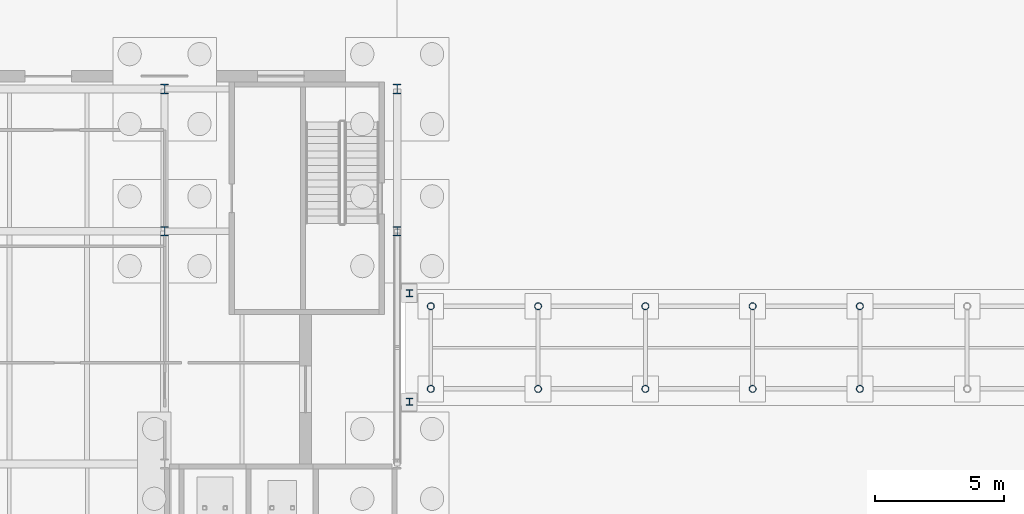
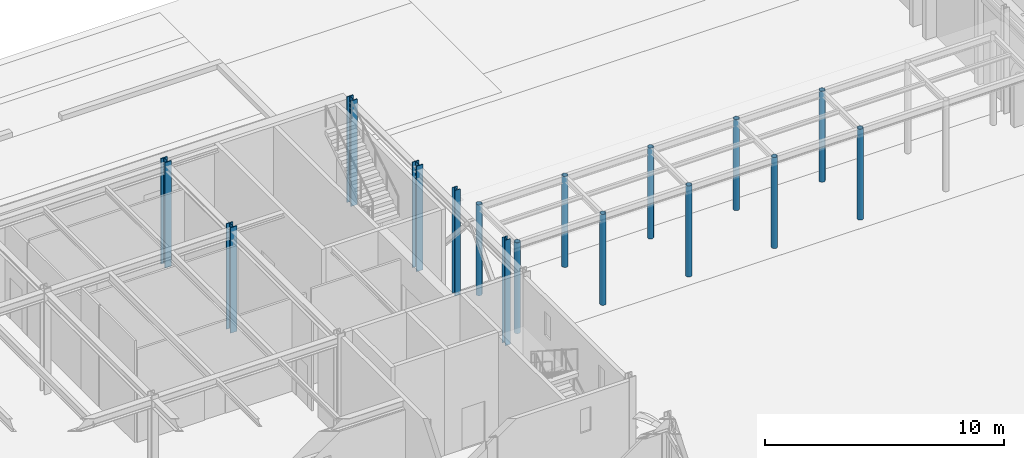
# One storey, part 25 of 126: 16 columns.
"""IFC4 building model written with IfcOpenShell, lengths in metres."""

from ifc_helpers import new_model, si_unit, direction, frame, origin, origin_2d, place, context, subcontext, project, spatial, hollow_circle, i_section, extrude, material, material_profile, profile_set, type_object, element, save


model = new_model("IFC4")

# Units and contexts
model_context = context("Model", 3, precision=1e-05, world=origin(), true_north=direction((0.0, 1.0)))
body_context = subcontext(model_context, "Body", "Model", "MODEL_VIEW")
ifc_project = project(units=[si_unit("LENGTHUNIT", "METRE"), si_unit("AREAUNIT", "SQUARE_METRE"), si_unit("VOLUMEUNIT", "CUBIC_METRE"), si_unit("PLANEANGLEUNIT", "RADIAN"), si_unit("MASSUNIT", "GRAM", prefix="KILO")], contexts=[model_context])

# Site, building, storey
site_placement = place(None, origin())
site = spatial("IfcSite", under=ifc_project, at=site_placement, CompositionType="ELEMENT")
building_placement = place(site_placement, origin())
building = spatial("IfcBuilding", under=site, at=building_placement, Name="Kallimachos Central Library", CompositionType="ELEMENT")
storey_placement = place(building_placement, origin())
storey = spatial("IfcBuildingStorey", under=building, at=storey_placement, Name="L00", CompositionType="ELEMENT", Elevation=0.0)

# Columns
ifc_material_1 = material(Name="Steel S355J2H", Category="steel")
ifc_material_profile_1 = material_profile(ifc_material_1, hollow_circle(Radius=0.136474609375, WallThickness=0.012451171875, at=origin_2d()), Name="CHS 273x12.5")
ifc_profile_set_1 = profile_set([ifc_material_profile_1], Name="Steel S355J2H")
column_type_1 = type_object("IfcColumnType", Name="CHS 273x12.5 column", PredefinedType="COLUMN", material=ifc_profile_set_1)
for number, where, z_axis, x_axis, name in (
    (1, (111.800048828125, 98.89990234375, 0.0), (0.0, 0.0, 1.0), (1.0, 0.0, 0.0), "Arcade A2 column"),
    (2, (111.800048828125, 102.10009765625, 0.0), (0.0, 0.0, 1.0), (1.0, 0.0, 0.0), "Arcade A2 column"),
    (3, (115.949951171875, 98.89990234375, 0.0), (0.0, 0.0, 1.0), (1.0, 0.0, 0.0), "Arcade A2 column"),
    (4, (115.949951171875, 102.10009765625, 0.0), (0.0, 0.0, 1.0), (1.0, 0.0, 0.0), "Arcade A2 column"),
    (5, (120.10009765625, 98.89990234375, 0.0), (0.0, 0.0, 1.0), (1.0, 0.0, 0.0), "Arcade A2 column"),
    (6, (120.10009765625, 102.10009765625, 0.0), (0.0, 0.0, 1.0), (1.0, 0.0, 0.0), "Arcade A2 column"),
    (7, (124.25, 98.89990234375, 0.0), (0.0, 0.0, 1.0), (1.0, 0.0, 0.0), "Arcade A2 column"),
    (8, (124.25, 102.10009765625, 0.0), (0.0, 0.0, 1.0), (1.0, 0.0, 0.0), "Arcade A2 column"),
    (9, (128.39990234375, 98.89990234375, 0.0), (0.0, 0.0, 1.0), (1.0, 0.0, 0.0), "Arcade A2 column"),
    (10, (128.39990234375, 102.10009765625, 0.0), (0.0, 0.0, 1.0), (1.0, 0.0, 0.0), "Arcade A2 column"),
):
    element("IfcColumn", number, at=place(storey_placement, frame(where, z_axis=z_axis, x_axis=x_axis)), inside=storey, type_object=column_type_1, Name=name, PredefinedType="COLUMN", context=body_context, shape_type="SweptSolid", body=[
        extrude(hollow_circle(Radius=0.136474609375, WallThickness=0.012451171875, at=origin_2d()), origin(), (0.0, 0.0, 1.0), 4.64990234375),
    ])
ifc_material_2 = material(Name="Steel S355J2", Category="steel")
ifc_material_profile_2 = material_profile(ifc_material_2, i_section(OverallWidth=0.260009765625, OverallDepth=0.260009765625, WebThickness=0.010009765625, FlangeThickness=0.017578125, FilletRadius=0.02392578125, at=origin_2d()), Name="HEB 260")
ifc_profile_set_2 = profile_set([ifc_material_profile_2], Name="Steel S355J2")
column_type_2 = type_object("IfcColumnType", Name="HEB 260 column", PredefinedType="COLUMN", material=ifc_profile_set_2)
for number, where, z_axis, x_axis, name in (
    (11, (110.97509765625, 98.39990234375, 0.0), (0.0, 0.0, 1.0), (1.0, 0.0, 0.0), "B-E landing column"),
    (12, (110.97509765625, 102.60009765625, 0.0), (0.0, 0.0, 1.0), (1.0, 0.0, 0.0), "B-E landing column"),
):
    element("IfcColumn", number, at=place(storey_placement, frame(where, z_axis=z_axis, x_axis=x_axis)), inside=storey, type_object=column_type_2, Name=name, PredefinedType="COLUMN", context=body_context, shape_type="SweptSolid", body=[
        extrude(i_section(OverallWidth=0.260009765625, OverallDepth=0.260009765625, WebThickness=0.010009765625, FlangeThickness=0.017578125, FilletRadius=0.02392578125, at=origin_2d()), origin(), (0.0, 0.0, 1.0), 5.39990234375),
    ])
ifc_material_3 = material(Name="Steel S355J2", Category="steel")
ifc_material_profile_3 = material_profile(ifc_material_3, i_section(OverallWidth=0.30908203125, OverallDepth=0.376953125, WebThickness=0.02099609375, FlangeThickness=0.0400390625, FilletRadius=0.027099609375, at=origin_2d()), Name="HEM 340")
ifc_profile_set_3 = profile_set([ifc_material_profile_3], Name="Steel S355J2")
column_type_3 = type_object("IfcColumnType", Name="HEM 340 column", PredefinedType="COLUMN", material=ifc_profile_set_3)
for number, where, z_axis, x_axis, name in (
    (13, (101.5, 105.0, 0.0), (0.0, 0.0, 1.0), (1.0, 0.0, 0.0), "V1-COL-L00-017"),
    (14, (110.5, 105.0, 0.0), (0.0, 0.0, 1.0), (1.0, 0.0, 0.0), "V1-COL-L00-018"),
    (15, (101.5, 110.5, 0.0), (0.0, 0.0, 1.0), (1.0, 0.0, 0.0), "V1-COL-L00-023"),
    (16, (110.5, 110.5, 0.0), (0.0, 0.0, 1.0), (1.0, 0.0, 0.0), "V1-COL-L00-024"),
):
    element("IfcColumn", number, at=place(storey_placement, frame(where, z_axis=z_axis, x_axis=x_axis)), inside=storey, type_object=column_type_3, Name=name, PredefinedType="COLUMN", context=body_context, shape_type="SweptSolid", body=[
        extrude(i_section(OverallWidth=0.30908203125, OverallDepth=0.376953125, WebThickness=0.02099609375, FlangeThickness=0.0400390625, FilletRadius=0.027099609375, at=origin_2d()), origin(), (0.0, 0.0, 1.0), 5.39990234375),
    ])

save(model, "model.ifc")
